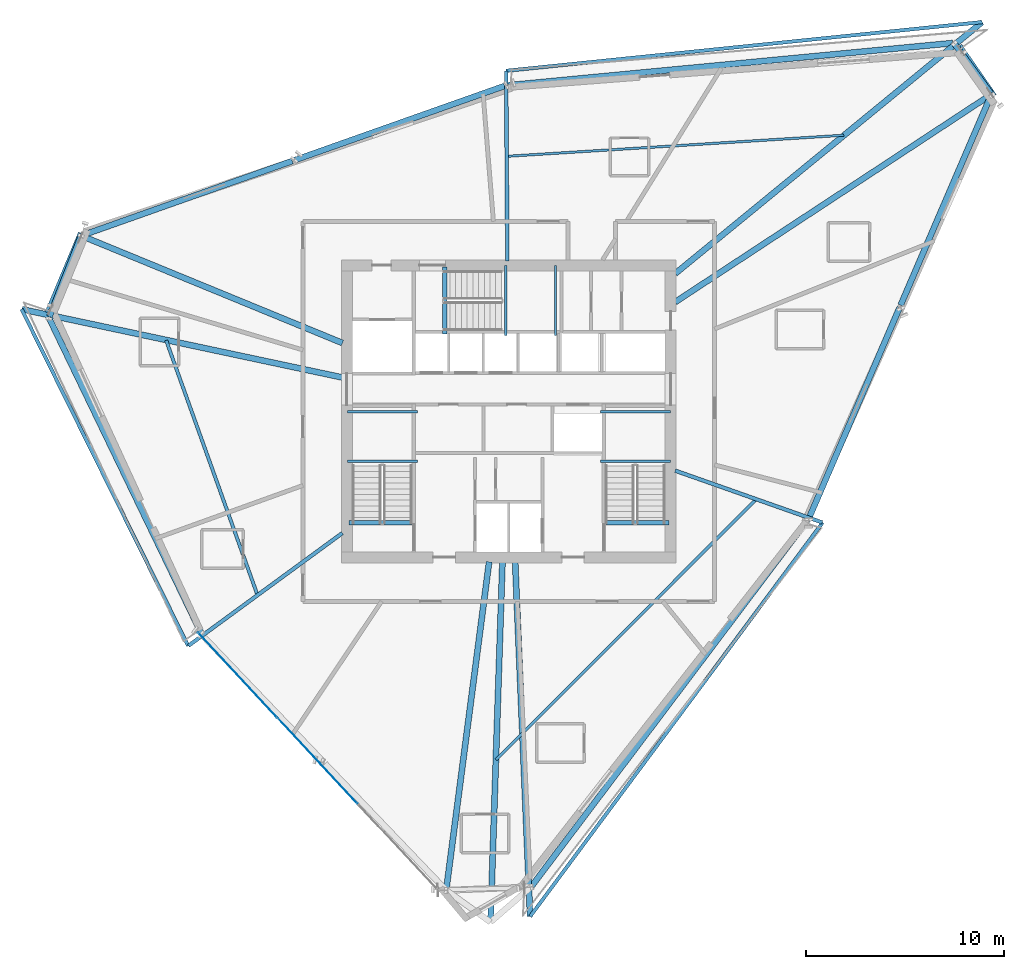
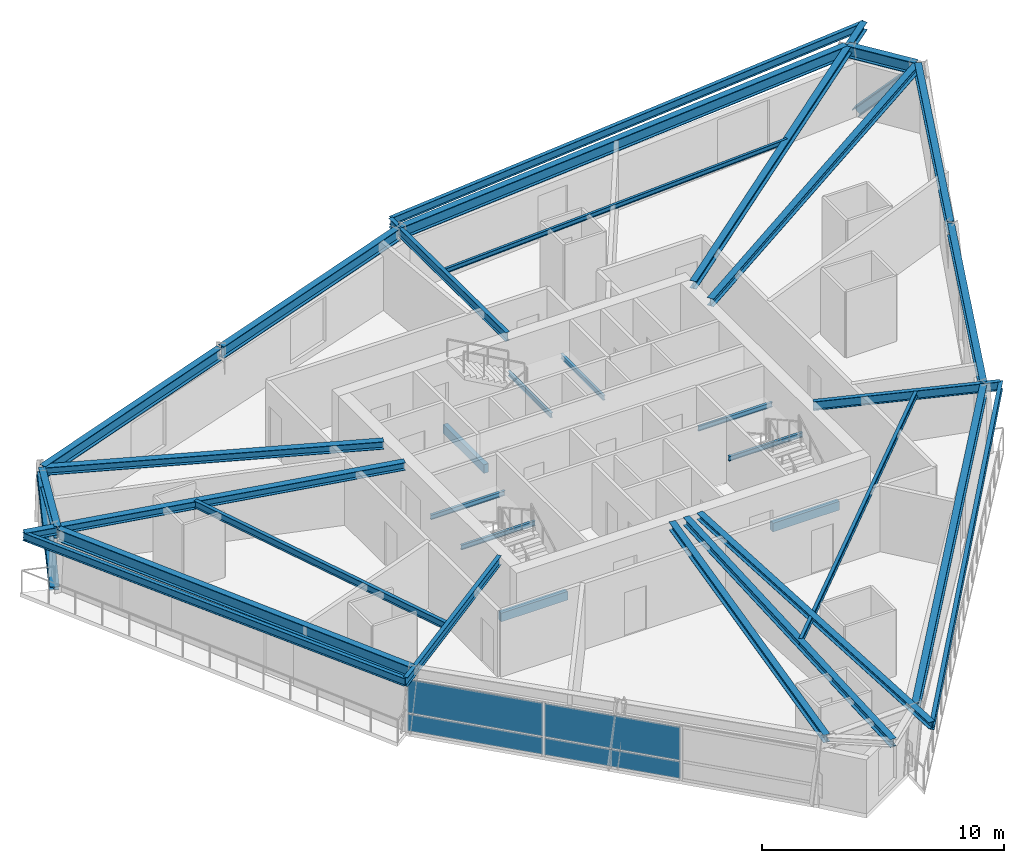
# One storey, part 4 of 14: 34 beams, 4 plates, 2 members, 1 element without a shape of its own.
"""IFC4 building model written with IfcOpenShell, lengths in metres."""

from ifc_helpers import new_model, si_unit, direction, frame, origin, origin_2d, place, context, subcontext, project, spatial, rectangle, i_section, extrude, source, transform, mapped, material, material_profile, profile_set, type_object, element, aggregate, save


model = new_model("IFC4")

# Units and contexts
model_context = context("Model", 3, precision=1e-05, world=origin(), true_north=direction((0.0, 1.0)))
body_context = subcontext(model_context, "Body", "Model", "MODEL_VIEW")
ifc_project = project(units=[si_unit("LENGTHUNIT", "METRE"), si_unit("AREAUNIT", "SQUARE_METRE"), si_unit("VOLUMEUNIT", "CUBIC_METRE"), si_unit("PLANEANGLEUNIT", "RADIAN"), si_unit("MASSUNIT", "GRAM", prefix="KILO")], contexts=[model_context])

# Site, building, storey
site_placement = place(None, origin())
site = spatial("IfcSite", under=ifc_project, at=site_placement, CompositionType="ELEMENT")
building_placement = place(site_placement, origin())
building = spatial("IfcBuilding", under=site, at=building_placement, Name="Olszyna Solenne Hotel", CompositionType="ELEMENT")
storey_placement = place(building_placement, frame((0.0, 0.0, 178.550048828125)))
storey = spatial("IfcBuildingStorey", under=building, at=storey_placement, Name="L47", CompositionType="ELEMENT", Elevation=178.550048828125)

# Beams
ifc_material_1 = material(Name="Steel S355J2", Category="steel")
ifc_material_profile_1 = material_profile(ifc_material_1, i_section(OverallWidth=0.300048828125, OverallDepth=0.60009765625, WebThickness=0.015380859375, FlangeThickness=0.030029296875, at=origin_2d()), Name="HEB 600", Category="load-bearing")
ifc_profile_set_1 = profile_set([ifc_material_profile_1], Name="Steel S355J2")
beam_type_1 = type_object("IfcBeamType", Name="BM-S2", PredefinedType="BEAM", material=ifc_profile_set_1)
shared_shape_1 = source(origin(), body_context, "Body", "SweptSolid", [
    extrude(i_section(OverallWidth=0.300048828125, OverallDepth=0.60009765625, WebThickness=0.015380859375, FlangeThickness=0.030029296875, at=origin_2d()), origin(), (0.0, 0.0, 1.0), 3.094482421875),
])
beam_1_placement = place(storey_placement, frame((62.344482421875, 42.660888671875, 3.030029296875), z_axis=(-0.589891964468, 0.807482179528, 0.0), x_axis=(-0.807482179528, -0.589891964468, 0.0)))
element("IfcBeam", 1, at=beam_1_placement, inside=storey, type_object=beam_type_1, Name="Perimeter spandrel beam BM-S2 B-L47-1392", PredefinedType="BEAM", context=body_context, shape_type="MappedRepresentation", body=[
    mapped(shared_shape_1, transform((0.0, 0.0, 0.0), x_axis=(1.0, 0.0, 0.0), y_axis=(0.0, 1.0, 0.0), z_axis=(0.0, 0.0, 1.0), scale=1.0)),
])
shared_shape_2 = source(origin(), body_context, "Body", "SweptSolid", [
    extrude(i_section(OverallWidth=0.300048828125, OverallDepth=0.60009765625, WebThickness=0.015380859375, FlangeThickness=0.030029296875, at=origin_2d()), origin(), (0.0, 0.0, 1.0), 22.624267578125),
])
beam_2_placement = place(storey_placement, frame((60.424072265625, 45.202392578125, 3.030029296875), z_axis=(-0.995519979851, -0.094551413093, 0.0), x_axis=(0.094551413093, -0.995519979851, 0.0)))
element("IfcBeam", 2, at=beam_2_placement, inside=storey, type_object=beam_type_1, Name="Perimeter spandrel beam BM-S2 B-L47-1393", PredefinedType="BEAM", context=body_context, shape_type="MappedRepresentation", body=[
    mapped(shared_shape_2, transform((0.0, 0.0, 0.0), x_axis=(1.0, 0.0, 0.0), y_axis=(0.0, 1.0, 0.0), z_axis=(0.0, 0.0, 1.0), scale=1.0)),
])
shared_shape_3 = source(origin(), body_context, "Body", "SweptSolid", [
    extrude(i_section(OverallWidth=0.300048828125, OverallDepth=0.60009765625, WebThickness=0.015380859375, FlangeThickness=0.030029296875, at=origin_2d()), origin(), (0.0, 0.0, 1.0), 11.252197265625),
])
for number, where, z_axis, x_axis, name in (
    (3, (37.784912109375, 43.03759765625, 3.030029296875), (-0.942746938852, -0.333508934341, 0.0), (0.333508934341, -0.942746938852, 0.0), "Perimeter spandrel beam BM-S2 B-L47-1394"),
    (4, (27.06396484375, 39.244873046875, 3.030029296875), (-0.942746938852, -0.333508934341, 0.0), (0.333508934341, -0.942746938852, 0.0), "Perimeter spandrel beam BM-S2 B-L47-1395"),
):
    element("IfcBeam", number, at=place(storey_placement, frame(where, z_axis=z_axis, x_axis=x_axis)), inside=storey, type_object=beam_type_1, Name=name, PredefinedType="BEAM", context=body_context, shape_type="MappedRepresentation", body=[
        mapped(shared_shape_3, transform((0.0, 0.0, 0.0), x_axis=(1.0, 0.0, 0.0), y_axis=(0.0, 1.0, 0.0), z_axis=(0.0, 0.0, 1.0), scale=1.0)),
    ])
shared_shape_4 = source(origin(), body_context, "Body", "SweptSolid", [
    extrude(i_section(OverallWidth=0.300048828125, OverallDepth=0.60009765625, WebThickness=0.015380859375, FlangeThickness=0.030029296875, at=origin_2d()), origin(), (0.0, 0.0, 1.0), 4.33447265625),
])
beam_3_placement = place(storey_placement, frame((16.377685546875, 35.416259765625, 3.030029296875), z_axis=(-0.364875018619, -0.931056507838, 0.0), x_axis=(0.931056507838, -0.364875018619, 0.0)))
element("IfcBeam", 5, at=beam_3_placement, inside=storey, type_object=beam_type_1, Name="Perimeter spandrel beam BM-S2 B-L47-1396", PredefinedType="BEAM", context=body_context, shape_type="MappedRepresentation", body=[
    mapped(shared_shape_4, transform((0.0, 0.0, 0.0), x_axis=(1.0, 0.0, 0.0), y_axis=(0.0, 1.0, 0.0), z_axis=(0.0, 0.0, 1.0), scale=1.0)),
])
shared_shape_5 = source(origin(), body_context, "Body", "SweptSolid", [
    extrude(i_section(OverallWidth=0.300048828125, OverallDepth=0.60009765625, WebThickness=0.015380859375, FlangeThickness=0.030029296875, at=origin_2d()), origin(), (0.0, 0.0, 1.0), 17.697509765625),
])
beam_4_placement = place(storey_placement, frame((14.80029296875, 31.2705078125, 3.030029296875), z_axis=(0.434699298827, -0.900575660119, 0.0), x_axis=(0.900575660119, 0.434699298827, 0.0)))
element("IfcBeam", 6, at=beam_4_placement, inside=storey, type_object=beam_type_1, Name="Perimeter spandrel beam BM-S2 B-L47-1397", PredefinedType="BEAM", context=body_context, shape_type="MappedRepresentation", body=[
    mapped(shared_shape_5, transform((0.0, 0.0, 0.0), x_axis=(1.0, 0.0, 0.0), y_axis=(0.0, 1.0, 0.0), z_axis=(0.0, 0.0, 1.0), scale=1.0)),
])
shared_shape_6 = source(origin(), body_context, "Body", "SweptSolid", [
    extrude(i_section(OverallWidth=0.300048828125, OverallDepth=0.60009765625, WebThickness=0.015380859375, FlangeThickness=0.030029296875, at=origin_2d()), origin(), (0.0, 0.0, 1.0), 23.1962890625),
])
beam_5_placement = place(storey_placement, frame((39.1611328125, 2.625244140625, 3.030029296875), z_axis=(0.601889443867, 0.798579424579, 0.0), x_axis=(-0.798579424579, 0.601889443867, 0.0)))
element("IfcBeam", 7, at=beam_5_placement, inside=storey, type_object=beam_type_1, Name="Perimeter spandrel beam BM-S2 B-L47-1401", PredefinedType="BEAM", context=body_context, shape_type="MappedRepresentation", body=[
    mapped(shared_shape_6, transform((0.0, 0.0, 0.0), x_axis=(1.0, 0.0, 0.0), y_axis=(0.0, 1.0, 0.0), z_axis=(0.0, 0.0, 1.0), scale=1.0)),
])
shared_shape_7 = source(origin(), body_context, "Body", "SweptSolid", [
    extrude(i_section(OverallWidth=0.300048828125, OverallDepth=0.60009765625, WebThickness=0.015380859375, FlangeThickness=0.030029296875, at=origin_2d()), origin(), (0.0, 0.0, 1.0), 11.538330078125),
])
for number, where, z_axis, x_axis, name in (
    (8, (53.1826171875, 21.252197265625, 3.030029296875), (0.395466283624, 0.918480494358, 0.0), (-0.918480494358, 0.395466283624, 0.0), "Perimeter spandrel beam BM-S2 B-L47-1402"),
    (9, (57.793212890625, 31.9599609375, 3.030029296875), (0.395466283624, 0.918480494358, 0.0), (-0.918480494358, 0.395466283624, 0.0), "Perimeter spandrel beam BM-S2 B-L47-1403"),
):
    element("IfcBeam", number, at=place(storey_placement, frame(where, z_axis=z_axis, x_axis=x_axis)), inside=storey, type_object=beam_type_1, Name=name, PredefinedType="BEAM", context=body_context, shape_type="MappedRepresentation", body=[
        mapped(shared_shape_7, transform((0.0, 0.0, 0.0), x_axis=(1.0, 0.0, 0.0), y_axis=(0.0, 1.0, 0.0), z_axis=(0.0, 0.0, 1.0), scale=1.0)),
    ])
ifc_material_profile_2 = material_profile(ifc_material_1, i_section(OverallWidth=0.300048828125, OverallDepth=0.389892578125, WebThickness=0.010986328125, FlangeThickness=0.01904296875, at=origin_2d()), Name="HEA 400", Category="load-bearing")
ifc_profile_set_2 = profile_set([ifc_material_profile_2], Name="Steel S355J2")
beam_type_2 = type_object("IfcBeamType", Name="BM-G2", PredefinedType="BEAM", material=ifc_profile_set_2)
shared_shape_8 = source(origin(), body_context, "Body", "SweptSolid", [
    extrude(i_section(OverallWidth=0.300048828125, OverallDepth=0.389892578125, WebThickness=0.010986328125, FlangeThickness=0.01904296875, at=origin_2d()), origin(), (0.0, 0.0, 1.0), 19.04833984375),
])
beam_6_placement = place(storey_placement, frame((62.32958984375, 42.57958984375, 3.135009765625), z_axis=(-0.835840243717, -0.548972756139, 0.0), x_axis=(0.548972756139, -0.835840243717, 0.0)))
element("IfcBeam", 10, at=beam_6_placement, inside=storey, type_object=beam_type_2, Name="Radial floor girder BM-G2 B-L47-1404", PredefinedType="BEAM", context=body_context, shape_type="MappedRepresentation", body=[
    mapped(shared_shape_8, transform((0.0, 0.0, 0.0), x_axis=(1.0, 0.0, 0.0), y_axis=(0.0, 1.0, 0.0), z_axis=(0.0, 0.0, 1.0), scale=1.0)),
])
shared_shape_9 = source(origin(), body_context, "Body", "SweptSolid", [
    extrude(i_section(OverallWidth=0.300048828125, OverallDepth=0.389892578125, WebThickness=0.010986328125, FlangeThickness=0.01904296875, at=origin_2d()), origin(), (0.0, 0.0, 1.0), 20.02490234375),
])
beam_7_placement = place(storey_placement, frame((61.9013671875, 46.252685546875, 3.135009765625), z_axis=(-0.773523100195, -0.633768107011, 0.0), x_axis=(0.633768107011, -0.773523100195, 0.0)))
element("IfcBeam", 11, at=beam_7_placement, inside=storey, type_object=beam_type_2, Name="Radial floor girder BM-G2 B-L47-1405", PredefinedType="BEAM", context=body_context, shape_type="MappedRepresentation", body=[
    mapped(shared_shape_9, transform((0.0, 0.0, 0.0), x_axis=(1.0, 0.0, 0.0), y_axis=(0.0, 1.0, 0.0), z_axis=(0.0, 0.0, 1.0), scale=1.0)),
])
ifc_material_profile_3 = material_profile(ifc_material_1, i_section(OverallWidth=0.18994140625, OverallDepth=0.449951171875, WebThickness=0.009521484375, FlangeThickness=0.0146484375, at=origin_2d()), Name="IPE 450", Category="load-bearing")
ifc_profile_set_3 = profile_set([ifc_material_profile_3], Name="Steel S355J2")
beam_type_3 = type_object("IfcBeamType", Name="BM-F4", PredefinedType="BEAM", material=ifc_profile_set_3)
shared_shape_10 = source(origin(), body_context, "Body", "SweptSolid", [
    extrude(i_section(OverallWidth=0.18994140625, OverallDepth=0.449951171875, WebThickness=0.009521484375, FlangeThickness=0.0146484375, at=origin_2d()), origin(), (0.0, 0.0, 1.0), 9.583984375),
])
beam_8_placement = place(storey_placement, frame((37.865478515625, 43.78369140625, 3.10498046875), z_axis=(0.00639395922, -0.999979558434, 0.0), x_axis=(0.999979558434, 0.00639395922, 0.0)))
element("IfcBeam", 12, at=beam_8_placement, inside=storey, type_object=beam_type_3, Name="Radial floor girder BM-F4 B-L47-1406", PredefinedType="BEAM", context=body_context, shape_type="MappedRepresentation", body=[
    mapped(shared_shape_10, transform((0.0, 0.0, 0.0), x_axis=(1.0, 0.0, 0.0), y_axis=(0.0, 1.0, 0.0), z_axis=(0.0, 0.0, 1.0), scale=1.0)),
])
shared_shape_11 = source(origin(), body_context, "Body", "SweptSolid", [
    extrude(i_section(OverallWidth=0.300048828125, OverallDepth=0.389892578125, WebThickness=0.010986328125, FlangeThickness=0.01904296875, at=origin_2d()), origin(), (0.0, 0.0, 1.0), 14.20654296875),
])
beam_9_placement = place(storey_placement, frame((16.455078125, 35.449462890625, 3.135009765625), z_axis=(0.925008386195, -0.379946687667, 0.0), x_axis=(0.379946687667, 0.925008386195, 0.0)))
element("IfcBeam", 13, at=beam_9_placement, inside=storey, type_object=beam_type_2, Name="Radial floor girder BM-G2 B-L47-1407", PredefinedType="BEAM", context=body_context, shape_type="MappedRepresentation", body=[
    mapped(shared_shape_11, transform((0.0, 0.0, 0.0), x_axis=(1.0, 0.0, 0.0), y_axis=(0.0, 1.0, 0.0), z_axis=(0.0, 0.0, 1.0), scale=1.0)),
])
shared_shape_12 = source(origin(), body_context, "Body", "SweptSolid", [
    extrude(i_section(OverallWidth=0.300048828125, OverallDepth=0.389892578125, WebThickness=0.010986328125, FlangeThickness=0.01904296875, at=origin_2d()), origin(), (0.0, 0.0, 1.0), 16.55322265625),
])
beam_10_placement = place(storey_placement, frame((13.40869140625, 31.75537109375, 3.135009765625), z_axis=(0.97808426991, -0.208209416104, 0.0), x_axis=(0.208209416104, 0.97808426991, 0.0)))
element("IfcBeam", 14, at=beam_10_placement, inside=storey, type_object=beam_type_2, Name="Radial floor girder BM-G2 B-L47-1408", PredefinedType="BEAM", context=body_context, shape_type="MappedRepresentation", body=[
    mapped(shared_shape_12, transform((0.0, 0.0, 0.0), x_axis=(1.0, 0.0, 0.0), y_axis=(0.0, 1.0, 0.0), z_axis=(0.0, 0.0, 1.0), scale=1.0)),
])
shared_shape_13 = source(origin(), body_context, "Body", "SweptSolid", [
    extrude(i_section(OverallWidth=0.18994140625, OverallDepth=0.449951171875, WebThickness=0.009521484375, FlangeThickness=0.0146484375, at=origin_2d()), origin(), (0.0, 0.0, 1.0), 9.630615234375),
])
beam_11_placement = place(storey_placement, frame((21.81884765625, 14.76171875, 3.10498046875), z_axis=(0.806954297202, 0.590613885908, 0.0), x_axis=(-0.590613885908, 0.806954297202, 0.0)))
element("IfcBeam", 15, at=beam_11_placement, inside=storey, type_object=beam_type_3, Name="Radial floor girder BM-F4 B-L47-1409", PredefinedType="BEAM", context=body_context, shape_type="MappedRepresentation", body=[
    mapped(shared_shape_13, transform((0.0, 0.0, 0.0), x_axis=(1.0, 0.0, 0.0), y_axis=(0.0, 1.0, 0.0), z_axis=(0.0, 0.0, 1.0), scale=1.0)),
])
shared_shape_14 = source(origin(), body_context, "Body", "SweptSolid", [
    extrude(i_section(OverallWidth=0.300048828125, OverallDepth=0.389892578125, WebThickness=0.010986328125, FlangeThickness=0.01904296875, at=origin_2d()), origin(), (0.0, 0.0, 1.0), 16.675537109375),
])
beam_12_placement = place(storey_placement, frame((34.84521484375, 2.464599609375, 3.135009765625), z_axis=(0.129613323192, 0.991564615369, 0.0), x_axis=(-0.991564615369, 0.129613323192, 0.0)))
element("IfcBeam", 16, at=beam_12_placement, inside=storey, type_object=beam_type_2, Name="Radial floor girder BM-G2 B-L47-1410", PredefinedType="BEAM", context=body_context, shape_type="MappedRepresentation", body=[
    mapped(shared_shape_14, transform((0.0, 0.0, 0.0), x_axis=(1.0, 0.0, 0.0), y_axis=(0.0, 1.0, 0.0), z_axis=(0.0, 0.0, 1.0), scale=1.0)),
])
shared_shape_15 = source(origin(), body_context, "Body", "SweptSolid", [
    extrude(i_section(OverallWidth=0.300048828125, OverallDepth=0.389892578125, WebThickness=0.010986328125, FlangeThickness=0.01904296875, at=origin_2d()), origin(), (0.0, 0.0, 1.0), 18.18994140625),
])
beam_13_placement = place(storey_placement, frame((37.076416015625, 0.820068359375, 3.135009765625), z_axis=(0.033124899091, 0.99945121995, 0.0), x_axis=(-0.99945121995, 0.033124899091, 0.0)))
element("IfcBeam", 17, at=beam_13_placement, inside=storey, type_object=beam_type_2, Name="Radial floor girder BM-G2 B-L47-1411", PredefinedType="BEAM", context=body_context, shape_type="MappedRepresentation", body=[
    mapped(shared_shape_15, transform((0.0, 0.0, 0.0), x_axis=(1.0, 0.0, 0.0), y_axis=(0.0, 1.0, 0.0), z_axis=(0.0, 0.0, 1.0), scale=1.0)),
])
shared_shape_16 = source(origin(), body_context, "Body", "SweptSolid", [
    extrude(i_section(OverallWidth=0.18994140625, OverallDepth=0.449951171875, WebThickness=0.009521484375, FlangeThickness=0.0146484375, at=origin_2d()), origin(), (0.0, 0.0, 1.0), 7.877685546875),
])
beam_14_placement = place(storey_placement, frame((53.83251953125, 20.986328125, 3.10498046875), z_axis=(-0.94313328418, 0.332414813555, 0.0), x_axis=(-0.332414813555, -0.94313328418, 0.0)))
element("IfcBeam", 18, at=beam_14_placement, inside=storey, type_object=beam_type_3, Name="Radial floor girder BM-F4 B-L47-1412", PredefinedType="BEAM", context=body_context, shape_type="MappedRepresentation", body=[
    mapped(shared_shape_16, transform((0.0, 0.0, 0.0), x_axis=(1.0, 0.0, 0.0), y_axis=(0.0, 1.0, 0.0), z_axis=(0.0, 0.0, 1.0), scale=1.0)),
])
ifc_material_profile_4 = material_profile(ifc_material_1, i_section(OverallWidth=0.300048828125, OverallDepth=0.31005859375, WebThickness=0.009033203125, FlangeThickness=0.015380859375, at=origin_2d()), Name="HEA 320", Category="load-bearing")
ifc_profile_set_4 = profile_set([ifc_material_profile_4], Name="Steel S355J2")
beam_type_4 = type_object("IfcBeamType", Name="BM-G3", PredefinedType="BEAM", material=ifc_profile_set_4)
shared_shape_17 = source(origin(), body_context, "Body", "SweptSolid", [
    extrude(i_section(OverallWidth=0.300048828125, OverallDepth=0.31005859375, WebThickness=0.009033203125, FlangeThickness=0.015380859375, at=origin_2d()), origin(), (0.0, 0.0, 1.0), 17.930908203125),
])
beam_15_placement = place(storey_placement, frame((39.0771484375, 1.0849609375, 3.175048828125), z_axis=(-0.042181012995, 0.999109985008, 0.0), x_axis=(-0.999109985008, -0.042181012995, 0.0)))
element("IfcBeam", 19, at=beam_15_placement, inside=storey, type_object=beam_type_4, Name="Loggia/prism radial back-span girder BM-G3 B-L47-1415", PredefinedType="BEAM", context=body_context, shape_type="MappedRepresentation", body=[
    mapped(shared_shape_17, transform((0.0, 0.0, 0.0), x_axis=(1.0, 0.0, 0.0), y_axis=(0.0, 1.0, 0.0), z_axis=(0.0, 0.0, 1.0), scale=1.0)),
])
ifc_material_profile_5 = material_profile(ifc_material_1, i_section(OverallWidth=0.1201171875, OverallDepth=0.239990234375, WebThickness=0.006103515625, FlangeThickness=0.009765625, at=origin_2d()), Name="IPE 240", Category="load-bearing")
ifc_profile_set_5 = profile_set([ifc_material_profile_5], Name="Steel S355J2")
beam_type_5 = type_object("IfcBeamType", Name="JS-03", PredefinedType="JOIST", material=ifc_profile_set_5)
shared_shape_18 = source(origin(), body_context, "Body", "SweptSolid", [
    extrude(i_section(OverallWidth=0.1201171875, OverallDepth=0.239990234375, WebThickness=0.006103515625, FlangeThickness=0.009765625, at=origin_2d()), origin(), (0.0, 0.0, 1.0), 17.03955078125),
])
beam_16_placement = place(storey_placement, frame((54.91943359375, 40.54736328125, 3.2099609375), z_axis=(-0.998047781009, -0.062454998384, 0.0), x_axis=(0.062454998384, -0.998047781009, 0.0)))
element("IfcBeam", 20, at=beam_16_placement, inside=storey, type_object=beam_type_5, Name="Secondary composite floor joist JS-03 B-L47-1416", PredefinedType="JOIST", context=body_context, shape_type="MappedRepresentation", body=[
    mapped(shared_shape_18, transform((0.0, 0.0, 0.0), x_axis=(1.0, 0.0, 0.0), y_axis=(0.0, 1.0, 0.0), z_axis=(0.0, 0.0, 1.0), scale=1.0)),
])
ifc_material_profile_6 = material_profile(ifc_material_1, i_section(OverallWidth=0.169921875, OverallDepth=0.360107421875, WebThickness=0.008056640625, FlangeThickness=0.0126953125, at=origin_2d()), Name="IPE 360", Category="load-bearing")
ifc_profile_set_6 = profile_set([ifc_material_profile_6], Name="Steel S355J2")
beam_type_6 = type_object("IfcBeamType", Name="JS-01", PredefinedType="JOIST", material=ifc_profile_set_6)
shared_shape_19 = source(origin(), body_context, "Body", "SweptSolid", [
    extrude(i_section(OverallWidth=0.169921875, OverallDepth=0.360107421875, WebThickness=0.008056640625, FlangeThickness=0.0126953125, at=origin_2d()), origin(), (0.0, 0.0, 1.0), 13.65576171875),
])
beam_17_placement = place(storey_placement, frame((20.6904296875, 30.18798828125, 3.14990234375), z_axis=(0.337573981738, -0.941298999709, 0.0), x_axis=(0.941298999709, 0.337573981738, 0.0)))
element("IfcBeam", 21, at=beam_17_placement, inside=storey, type_object=beam_type_6, Name="Secondary composite floor joist JS-01 B-L47-1417", PredefinedType="JOIST", context=body_context, shape_type="MappedRepresentation", body=[
    mapped(shared_shape_19, transform((0.0, 0.0, 0.0), x_axis=(1.0, 0.0, 0.0), y_axis=(0.0, 1.0, 0.0), z_axis=(0.0, 0.0, 1.0), scale=1.0)),
])
ifc_material_profile_7 = material_profile(ifc_material_1, i_section(OverallWidth=0.14990234375, OverallDepth=0.300048828125, WebThickness=0.007080078125, FlangeThickness=0.0107421875, at=origin_2d()), Name="IPE 300", Category="load-bearing")
ifc_profile_set_7 = profile_set([ifc_material_profile_7], Name="Steel S355J2")
beam_type_7 = type_object("IfcBeamType", Name="JS-02", PredefinedType="JOIST", material=ifc_profile_set_7)
shared_shape_20 = source(origin(), body_context, "Body", "SweptSolid", [
    extrude(i_section(OverallWidth=0.14990234375, OverallDepth=0.300048828125, WebThickness=0.007080078125, FlangeThickness=0.0107421875, at=origin_2d()), origin(), (0.0, 0.0, 1.0), 18.57373046875),
])
beam_18_placement = place(storey_placement, frame((37.361083984375, 9.004150390625, 3.179931640625), z_axis=(0.70661369645, 0.707599522322, 0.0), x_axis=(-0.707599522322, 0.70661369645, 0.0)))
element("IfcBeam", 22, at=beam_18_placement, inside=storey, type_object=beam_type_7, Name="Secondary composite floor joist JS-02 B-L47-1418", PredefinedType="JOIST", context=body_context, shape_type="MappedRepresentation", body=[
    mapped(shared_shape_20, transform((0.0, 0.0, 0.0), x_axis=(1.0, 0.0, 0.0), y_axis=(0.0, 1.0, 0.0), z_axis=(0.0, 0.0, 1.0), scale=1.0)),
])
ifc_material_profile_8 = material_profile(ifc_material_1, i_section(OverallWidth=0.179931640625, OverallDepth=0.39990234375, WebThickness=0.008544921875, FlangeThickness=0.013427734375, at=origin_2d()), Name="IPE 400", Category="load-bearing")
ifc_profile_set_8 = profile_set([ifc_material_profile_8], Name="Steel S355J2")
beam_type_8 = type_object("IfcBeamType", Name="BM-F5", PredefinedType="BEAM", material=ifc_profile_set_8)
shared_shape_21 = source(origin(), body_context, "Body", "SweptSolid", [
    extrude(i_section(OverallWidth=0.179931640625, OverallDepth=0.39990234375, WebThickness=0.008544921875, FlangeThickness=0.013427734375, at=origin_2d()), origin(), (0.0, 0.0, 1.0), 24.177001953125),
])
beam_19_placement = place(storey_placement, frame((61.916748046875, 46.265380859375, 3.1298828125), z_axis=(-0.99480293979, -0.101819010921, 0.0), x_axis=(0.101819010921, -0.99480293979, 0.0)))
element("IfcBeam", 23, at=beam_19_placement, inside=storey, type_object=beam_type_8, Name="Loggia outer edge beam BM-F5 B-L47-1419", PredefinedType="BEAM", context=body_context, shape_type="MappedRepresentation", body=[
    mapped(shared_shape_21, transform((0.0, 0.0, 0.0), x_axis=(1.0, 0.0, 0.0), y_axis=(0.0, 1.0, 0.0), z_axis=(0.0, 0.0, 1.0), scale=1.0)),
])
shared_shape_22 = source(origin(), body_context, "Body", "SweptSolid", [
    extrude(i_section(OverallWidth=0.179931640625, OverallDepth=0.39990234375, WebThickness=0.008544921875, FlangeThickness=0.013427734375, at=origin_2d()), origin(), (0.0, 0.0, 1.0), 18.9765625),
])
beam_20_placement = place(storey_placement, frame((13.38916015625, 31.759521484375, 3.1298828125), z_axis=(0.443365301819, -0.896341011637, 0.0), x_axis=(0.896341011637, 0.443365301819, 0.0)))
element("IfcBeam", 24, at=beam_20_placement, inside=storey, type_object=beam_type_8, Name="Loggia outer edge beam BM-F5 B-L47-1420", PredefinedType="BEAM", context=body_context, shape_type="MappedRepresentation", body=[
    mapped(shared_shape_22, transform((0.0, 0.0, 0.0), x_axis=(1.0, 0.0, 0.0), y_axis=(0.0, 1.0, 0.0), z_axis=(0.0, 0.0, 1.0), scale=1.0)),
])
shared_shape_23 = source(origin(), body_context, "Body", "SweptSolid", [
    extrude(i_section(OverallWidth=0.179931640625, OverallDepth=0.39990234375, WebThickness=0.008544921875, FlangeThickness=0.013427734375, at=origin_2d()), origin(), (0.0, 0.0, 1.0), 24.780517578125),
])
beam_21_placement = place(storey_placement, frame((39.0771484375, 1.0849609375, 3.1298828125), z_axis=(0.596199016169, 0.802836678982, 0.0), x_axis=(-0.802836678982, 0.596199016169, 0.0)))
element("IfcBeam", 25, at=beam_21_placement, inside=storey, type_object=beam_type_8, Name="Loggia outer edge beam BM-F5 B-L47-1421", PredefinedType="BEAM", context=body_context, shape_type="MappedRepresentation", body=[
    mapped(shared_shape_23, transform((0.0, 0.0, 0.0), x_axis=(1.0, 0.0, 0.0), y_axis=(0.0, 1.0, 0.0), z_axis=(0.0, 0.0, 1.0), scale=1.0)),
])

# Members
ifc_material_2 = material(Name="Steel S460M", Category="steel")
ifc_material_profile_9 = material_profile(ifc_material_2, i_section(OverallWidth=0.406005859375, OverallDepth=0.416015625, WebThickness=0.026611328125, FlangeThickness=0.04150390625, at=origin_2d()), Name="HD 400x382", Category="load-bearing")
ifc_profile_set_9 = profile_set([ifc_material_profile_9], Name="Steel S460M")
member_type = type_object("IfcMemberType", Name="BR-T2", PredefinedType="BRACE", material=ifc_profile_set_9)
shared_shape_24 = source(origin(), body_context, "Body", "SweptSolid", [
    extrude(i_section(OverallWidth=0.406005859375, OverallDepth=0.416015625, WebThickness=0.026611328125, FlangeThickness=0.04150390625, at=origin_2d()), origin(), (0.0, 0.0, 1.0), 4.080078125),
])
member_1_placement = place(storey_placement, frame((60.798095703125, 44.89404296875, 0.010009765625), z_axis=(0.387682350736, -0.559174497242, 0.732820767011), x_axis=(0.821805766845, 0.569767743541, 0.0)))
element("IfcMember", 26, at=member_1_placement, inside=storey, type_object=member_type, Name="Perimeter braced-tube diagonal BR-T2 BR-L47-1", PredefinedType="BRACE", context=body_context, shape_type="MappedRepresentation", body=[
    mapped(shared_shape_24, transform((0.0, 0.0, 0.0), x_axis=(1.0, 0.0, 0.0), y_axis=(0.0, 1.0, 0.0), z_axis=(0.0, 0.0, 1.0), scale=1.0)),
])
shared_shape_25 = source(origin(), body_context, "Body", "SweptSolid", [
    extrude(i_section(OverallWidth=0.406005859375, OverallDepth=0.416015625, WebThickness=0.026611328125, FlangeThickness=0.04150390625, at=origin_2d()), origin(), (0.0, 0.0, 1.0), 5.090087890625),
])
member_2_placement = place(storey_placement, frame((14.809814453125, 31.671875, 0.010009765625), z_axis=(0.312292550261, 0.746605104802, 0.587413125948), x_axis=(-0.92254650487, 0.385885924014, 0.0)))
element("IfcMember", 27, at=member_2_placement, inside=storey, type_object=member_type, Name="Perimeter braced-tube diagonal BR-T2 BR-L47-2", PredefinedType="BRACE", context=body_context, shape_type="MappedRepresentation", body=[
    mapped(shared_shape_25, transform((0.0, 0.0, 0.0), x_axis=(1.0, 0.0, 0.0), y_axis=(0.0, 1.0, 0.0), z_axis=(0.0, 0.0, 1.0), scale=1.0)),
])

# Beams
shared_shape_26 = source(origin(), body_context, "Body", "SweptSolid", [
    extrude(i_section(OverallWidth=0.1201171875, OverallDepth=0.239990234375, WebThickness=0.006103515625, FlangeThickness=0.009765625, at=origin_2d()), origin(), (0.0, 0.0, 1.0), 3.539794921875),
])
for number, where, z_axis, x_axis, name in (
    (28, (33.3798828125, 24.070068359375, 1.449951171875), (-1.0, 0.0, 0.0), (0.0, -1.0, 0.0), "Stair landing support beam JS-03 SLB-ST1-0099"),
    (29, (33.3798828125, 26.580078125, 1.449951171875), (-1.0, 0.0, 0.0), (0.0, -1.0, 0.0), "Stair landing support beam JS-03 SLB-ST1-0100"),
    (30, (46.159912109375, 24.070068359375, 1.449951171875), (-1.0, 0.0, 0.0), (0.0, -1.0, 0.0), "Stair landing support beam JS-03 SLB-ST2-0339"),
    (31, (46.159912109375, 26.580078125, 1.449951171875), (-1.0, 0.0, 0.0), (0.0, -1.0, 0.0), "Stair landing support beam JS-03 SLB-ST2-0340"),
):
    element("IfcBeam", number, at=place(storey_placement, frame(where, z_axis=z_axis, x_axis=x_axis)), inside=storey, type_object=beam_type_5, Name=name, PredefinedType="JOIST", context=body_context, shape_type="MappedRepresentation", body=[
        mapped(shared_shape_26, transform((0.0, 0.0, 0.0), x_axis=(1.0, 0.0, 0.0), y_axis=(0.0, 1.0, 0.0), z_axis=(0.0, 0.0, 1.0), scale=1.0)),
    ])
ifc_material_3 = material(Name="Concrete C50/60", Category="concrete")
ifc_material_profile_10 = material_profile(ifc_material_3, rectangle(XDim=0.219970703125, YDim=0.43994140625, at=origin_2d()), Name="RC 220x440", Category="load-bearing")
ifc_profile_set_10 = profile_set([ifc_material_profile_10], Name="Concrete C50/60")
beam_type_9 = type_object("IfcBeamType", Name="BM-ST1", PredefinedType="BEAM", material=ifc_profile_set_10)
shared_shape_27 = source(origin(), body_context, "Body", "SweptSolid", [
    extrude(rectangle(XDim=0.219970703125, YDim=0.43994140625, at=origin_2d()), origin(), (0.0, 0.0, 1.0), 3.18017578125),
])
for number, where, z_axis, x_axis, name in (
    (32, (33.10009765625, 20.97998046875, -0.205078125), (-1.0, 0.0, 0.0), (0.0, -1.0, 0.0), "Concrete stair trimmer beam BM-ST1 SHB-ST1-0209"),
    (33, (46.080078125, 20.97998046875, -0.205078125), (-1.0, 0.0, 0.0), (0.0, -1.0, 0.0), "Concrete stair trimmer beam BM-ST1 SHB-ST2-0449"),
):
    element("IfcBeam", number, at=place(storey_placement, frame(where, z_axis=z_axis, x_axis=x_axis)), inside=storey, type_object=beam_type_9, Name=name, PredefinedType="BEAM", context=body_context, shape_type="MappedRepresentation", body=[
        mapped(shared_shape_27, transform((0.0, 0.0, 0.0), x_axis=(1.0, 0.0, 0.0), y_axis=(0.0, 1.0, 0.0), z_axis=(0.0, 0.0, 1.0), scale=1.0)),
    ])
shared_shape_28 = source(origin(), body_context, "Body", "SweptSolid", [
    extrude(i_section(OverallWidth=0.1201171875, OverallDepth=0.239990234375, WebThickness=0.006103515625, FlangeThickness=0.009765625, at=origin_2d()), origin(), (0.0, 0.0, 1.0), 3.5400390625),
])
for number, where, z_axis, x_axis, name in (
    (34, (37.85009765625, 30.419921875, 1.449951171875), (0.0, 1.0, 0.0), (-1.0, 0.0, 0.0), "Stair landing support beam JS-03 SLB-ST3-0579"),
    (35, (40.360107421875, 30.419921875, 1.449951171875), (0.0, 1.0, 0.0), (-1.0, 0.0, 0.0), "Stair landing support beam JS-03 SLB-ST3-0580"),
):
    element("IfcBeam", number, at=place(storey_placement, frame(where, z_axis=z_axis, x_axis=x_axis)), inside=storey, type_object=beam_type_5, Name=name, PredefinedType="JOIST", context=body_context, shape_type="MappedRepresentation", body=[
        mapped(shared_shape_28, transform((0.0, 0.0, 0.0), x_axis=(1.0, 0.0, 0.0), y_axis=(0.0, 1.0, 0.0), z_axis=(0.0, 0.0, 1.0), scale=1.0)),
    ])
shared_shape_29 = source(origin(), body_context, "Body", "SweptSolid", [
    extrude(rectangle(XDim=0.219970703125, YDim=0.43994140625, at=origin_2d()), origin(), (0.0, 0.0, 1.0), 3.3798828125),
])
beam_22_placement = place(storey_placement, frame((34.760009765625, 30.5, -0.205078125), z_axis=(0.0, 1.0, 0.0), x_axis=(-1.0, 0.0, 0.0)))
element("IfcBeam", 36, at=beam_22_placement, inside=storey, type_object=beam_type_9, Name="Concrete stair trimmer beam BM-ST1 SHB-ST3-0687", PredefinedType="BEAM", context=body_context, shape_type="MappedRepresentation", body=[
    mapped(shared_shape_29, transform((0.0, 0.0, 0.0), x_axis=(1.0, 0.0, 0.0), y_axis=(0.0, 1.0, 0.0), z_axis=(0.0, 0.0, 1.0), scale=1.0)),
])

# Curtain wall, plates
ifc_material_4 = material(Name="Anodised bronze aluminium", Category="aluminium")
curtain_wall_type = type_object("IfcCurtainWallType", Name="CW-SYS-4", PredefinedType="NOTDEFINED", material=ifc_material_4)
curtain_wall_placement = place(storey_placement, origin())
curtain_wall = element("IfcCurtainWall", 37, at=curtain_wall_placement, inside=storey, type_object=curtain_wall_type, Name="Unitised curtain wall CW-SYS-4 CW-L47-01", PredefinedType="NOTDEFINED")
ifc_material_5 = material(Name="Terracotta cladding", Category="masonry")
plate_type_1 = type_object("IfcPlateType", Name="PN-SP1", PredefinedType="CURTAIN_PANEL", material=ifc_material_5)
shared_shape_30 = source(origin(), body_context, "Body", "SweptSolid", [
    extrude(rectangle(XDim=5.84765625, YDim=0.035888671875, at=origin_2d()), origin(), (0.0, 0.0, 1.0), 0.8525390625),
])
plate_1_placement = place(storey_placement, frame((24.303955078125, 13.283447265625, 0.06494140625), z_axis=(0.0, 0.0, 1.0), x_axis=(0.681899026595, -0.731446318966, 0.0)))
plate_1 = element("IfcPlate", 38, at=plate_1_placement, type_object=plate_type_1, Name="Curtain-wall panel PN-SP1 CP-L47-01-01", PredefinedType="CURTAIN_PANEL", context=body_context, shape_type="MappedRepresentation", body=[
    mapped(shared_shape_30, transform((0.0, 0.0, 0.0), x_axis=(1.0, 0.0, 0.0), y_axis=(0.0, 1.0, 0.0), z_axis=(0.0, 0.0, 1.0), scale=1.0)),
])
ifc_material_6 = material(Name="Low-E triple glazing", Category="glass")
plate_type_2 = type_object("IfcPlateType", Name="PN-GL1", PredefinedType="CURTAIN_PANEL", material=ifc_material_6)
shared_shape_31 = source(origin(), body_context, "Body", "SweptSolid", [
    extrude(rectangle(XDim=5.84765625, YDim=0.035888671875, at=origin_2d()), origin(), (0.0, 0.0, 1.0), 1.674560546875),
])
plate_2_placement = place(storey_placement, frame((24.303955078125, 13.283447265625, 0.982421875), z_axis=(0.0, 0.0, 1.0), x_axis=(0.681899026595, -0.731446318966, 0.0)))
plate_2 = element("IfcPlate", 39, at=plate_2_placement, type_object=plate_type_2, Name="Curtain-wall panel PN-GL1 CP-L47-01-02", PredefinedType="CURTAIN_PANEL", context=body_context, shape_type="MappedRepresentation", body=[
    mapped(shared_shape_31, transform((0.0, 0.0, 0.0), x_axis=(1.0, 0.0, 0.0), y_axis=(0.0, 1.0, 0.0), z_axis=(0.0, 0.0, 1.0), scale=1.0)),
])
shared_shape_32 = source(origin(), body_context, "Body", "SweptSolid", [
    extrude(rectangle(XDim=5.880126953125, YDim=0.035888671875, at=origin_2d()), origin(), (0.0, 0.0, 1.0), 0.8525390625),
])
plate_3_placement = place(storey_placement, frame((28.3466796875, 8.946533203125, 0.06494140625), z_axis=(0.0, 0.0, 1.0), x_axis=(0.681899026595, -0.731446318966, 0.0)))
plate_3 = element("IfcPlate", 40, at=plate_3_placement, type_object=plate_type_1, Name="Curtain-wall panel PN-SP1 CP-L47-01-03", PredefinedType="CURTAIN_PANEL", context=body_context, shape_type="MappedRepresentation", body=[
    mapped(shared_shape_32, transform((0.0, 0.0, 0.0), x_axis=(1.0, 0.0, 0.0), y_axis=(0.0, 1.0, 0.0), z_axis=(0.0, 0.0, 1.0), scale=1.0)),
])
shared_shape_33 = source(origin(), body_context, "Body", "SweptSolid", [
    extrude(rectangle(XDim=5.880126953125, YDim=0.035888671875, at=origin_2d()), origin(), (0.0, 0.0, 1.0), 1.674560546875),
])
plate_4_placement = place(storey_placement, frame((28.3466796875, 8.946533203125, 0.982421875), z_axis=(0.0, 0.0, 1.0), x_axis=(0.681899026595, -0.731446318966, 0.0)))
plate_4 = element("IfcPlate", 41, at=plate_4_placement, type_object=plate_type_2, Name="Curtain-wall panel PN-GL1 CP-L47-01-04", PredefinedType="CURTAIN_PANEL", context=body_context, shape_type="MappedRepresentation", body=[
    mapped(shared_shape_33, transform((0.0, 0.0, 0.0), x_axis=(1.0, 0.0, 0.0), y_axis=(0.0, 1.0, 0.0), z_axis=(0.0, 0.0, 1.0), scale=1.0)),
])
aggregate(curtain_wall, [plate_1, plate_2, plate_3, plate_4])

save(model, "model.ifc")
